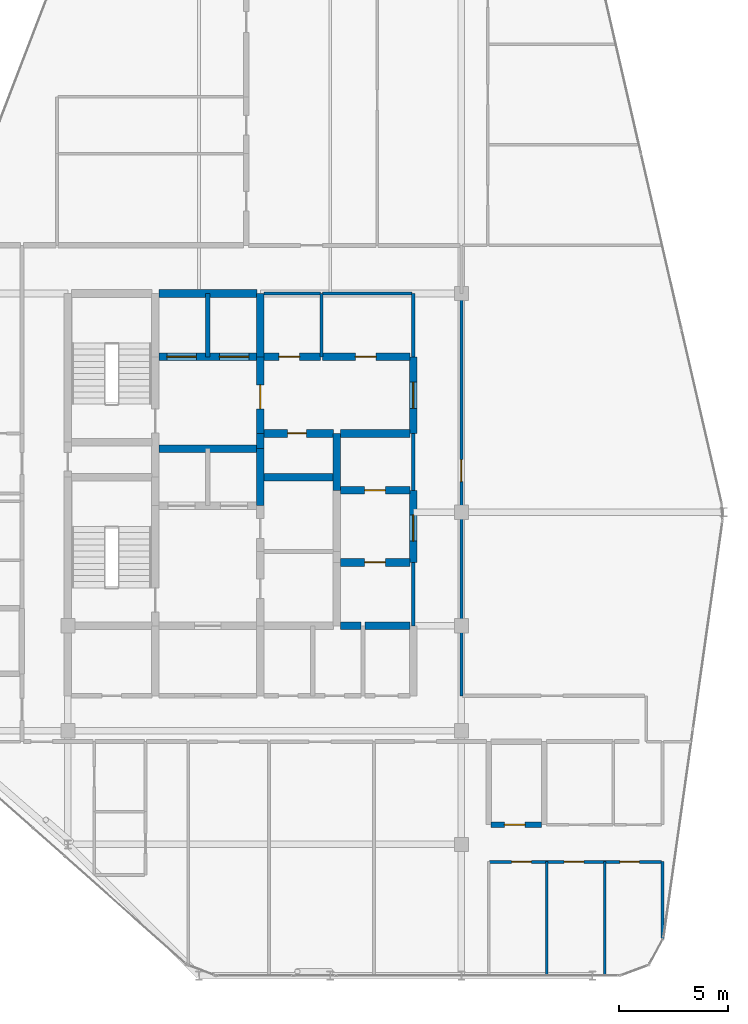
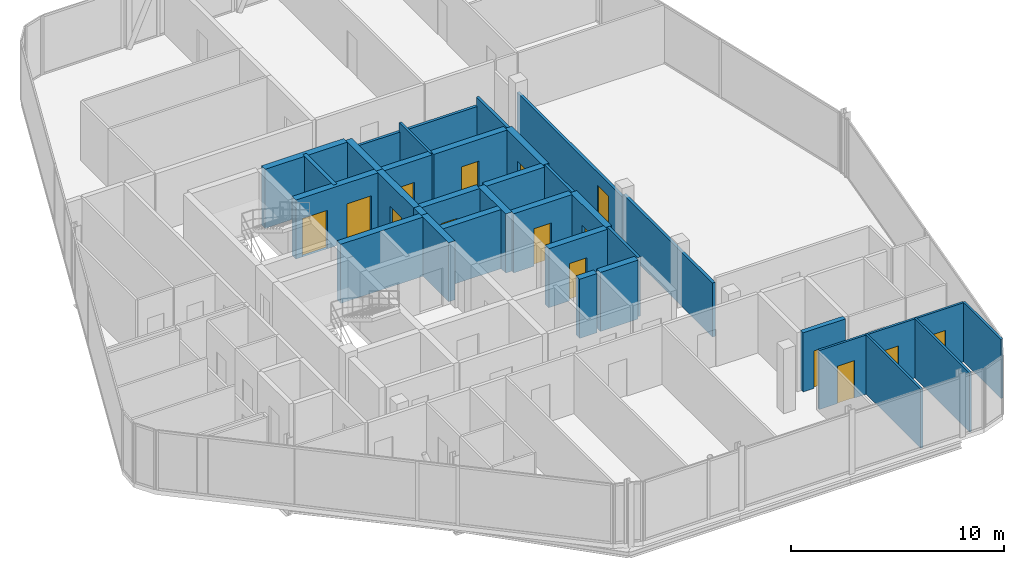
# One storey, part 24 of 27: 33 walls, 15 doors, 15 openings.
"""IFC4 building model written with IfcOpenShell, lengths in metres."""

from ifc_helpers import new_model, si_unit, direction, frame, frame_2d, origin, place, context, subcontext, project, spatial, rectangle, extrude, material, layer, layer_set, type_object, element, fill, save


model = new_model("IFC4")

# Units and contexts
model_context = context("Model", 3, precision=1e-05, world=origin(), true_north=direction((0.0, 1.0)))
body_context = subcontext(model_context, "Body", "Model", "MODEL_VIEW")
ifc_project = project(units=[si_unit("LENGTHUNIT", "METRE"), si_unit("AREAUNIT", "SQUARE_METRE"), si_unit("VOLUMEUNIT", "CUBIC_METRE"), si_unit("PLANEANGLEUNIT", "RADIAN"), si_unit("MASSUNIT", "GRAM", prefix="KILO")], contexts=[model_context])

# Site, building, storey
site_placement = place(None, origin())
site = spatial("IfcSite", under=ifc_project, at=site_placement, CompositionType="ELEMENT")
building_placement = place(site_placement, origin())
building = spatial("IfcBuilding", under=site, at=building_placement, Name="Keshet Zoharim Tower", CompositionType="ELEMENT")
storey_placement = place(building_placement, frame((0.0, 0.0, 307.300048828125)))
storey = spatial("IfcBuildingStorey", under=building, at=storey_placement, Name="L77", CompositionType="ELEMENT", Elevation=307.300048828125)

# Walls
ifc_material_1 = material(Name="Gypsum Plasterboard", Category="gypsum")
ifc_layer_1 = layer(ifc_material_1, 0.14990234375)
ifc_layer_set_1 = layer_set([ifc_layer_1], Name="Gypsum Plasterboard")
wall_type_1 = type_object("IfcWallType", Name="WL-CLIN-150", PredefinedType="STANDARD", material=ifc_layer_set_1)
wall_1_placement = place(storey_placement, frame((30.800048828125, 22.699951171875, 0.0), z_axis=(0.0, 0.0, 1.0), x_axis=(0.0, 1.0, 0.0)))
element("IfcWall", 1, at=wall_1_placement, inside=storey, type_object=wall_type_1, Name="L77 Interior Wall 055", PredefinedType="STANDARD", context=body_context, shape_type="SweptSolid", body=[
    extrude(rectangle(XDim=2.900146484375, YDim=0.14990234375, at=frame_2d((1.4501953125, 0.0))), origin(), (0.0, 0.0, 1.0), 3.389892578125),
])
wall_2_placement = place(storey_placement, frame((30.800048828125, 28.89990234375, 0.0), z_axis=(0.0, 0.0, 1.0), x_axis=(0.0, 1.0, 0.0)))
element("IfcWall", 2, at=wall_2_placement, inside=storey, type_object=wall_type_1, Name="L77 Interior Wall 057", PredefinedType="STANDARD", context=body_context, shape_type="SweptSolid", body=[
    extrude(rectangle(XDim=2.60009765625, YDim=0.14990234375, at=frame_2d((1.300048828125, 0.0))), origin(), (0.0, 0.0, 1.0), 3.389892578125),
])
wall_3_placement = place(storey_placement, frame((30.800048828125, 35.0, 0.0), z_axis=(0.0, 0.0, 1.0), x_axis=(0.0, 1.0, 0.0)))
element("IfcWall", 3, at=wall_3_placement, inside=storey, type_object=wall_type_1, Name="L77 Interior Wall 059", PredefinedType="STANDARD", context=body_context, shape_type="SweptSolid", body=[
    extrude(rectangle(XDim=2.89990234375, YDim=0.14990234375, at=frame_2d((1.449951171875, 0.0))), origin(), (0.0, 0.0, 1.0), 3.389892578125),
])
wall_4_placement = place(storey_placement, frame((33.0, 19.5, 0.0), z_axis=(0.0, 0.0, 1.0), x_axis=(0.0, 1.0, 0.0)))
element("IfcWall", 4, at=wall_4_placement, inside=storey, type_object=wall_type_1, Name="L77 Interior Wall 060", PredefinedType="STANDARD", context=body_context, shape_type="SweptSolid", body=[
    extrude(rectangle(XDim=8.39990234375, YDim=0.14990234375, at=frame_2d((4.199951171875, 0.0))), origin(), (0.0, 0.0, 1.0), 3.099853515625),
])
wall_5_placement = place(storey_placement, frame((23.9599609375, 37.89990234375, 0.0), z_axis=(0.0, 0.0, 1.0), x_axis=(1.0, 0.0, 0.0)))
element("IfcWall", 5, at=wall_5_placement, inside=storey, type_object=wall_type_1, Name="L77 Interior Wall 127", PredefinedType="STANDARD", context=body_context, shape_type="SweptSolid", body=[
    extrude(rectangle(XDim=2.594970703125, YDim=0.14990234375, at=frame_2d((1.29736328125, 0.0))), origin(), (0.0, 0.0, 1.0), 2.889892578125),
])
wall_6_placement = place(storey_placement, frame((26.64501953125, 37.89990234375, 0.0), z_axis=(0.0, 0.0, 1.0), x_axis=(1.0, 0.0, 0.0)))
element("IfcWall", 6, at=wall_6_placement, inside=storey, type_object=wall_type_1, Name="L77 Interior Wall 128", PredefinedType="STANDARD", context=body_context, shape_type="SweptSolid", body=[
    extrude(rectangle(XDim=4.094970703125, YDim=0.14990234375, at=frame_2d((2.04736328125, 0.0))), origin(), (0.0, 0.0, 1.0), 2.889892578125),
])

# Wall, opening, door
wall_7_placement = place(storey_placement, frame((33.0, 27.89990234375, 0.0), z_axis=(0.0, 0.0, 1.0), x_axis=(0.0, 1.0, 0.0)))
wall_7 = element("IfcWall", 7, at=wall_7_placement, inside=storey, type_object=wall_type_1, Name="L77 Interior Wall 060 Part 2", PredefinedType="STANDARD", context=body_context, shape_type="SweptSolid", body=[
    extrude(rectangle(XDim=10.0, YDim=0.14990234375, at=frame_2d((5.0, 0.0))), origin(), (0.0, 0.0, 1.0), 2.889892578125),
])
opening_1_placement = place(wall_7_placement, frame((1.39990234375, 0.0, 0.0)))
opening_1 = element("IfcOpeningElement", 8, at=opening_1_placement, cuts=wall_7, Name="Opening D-F310", PredefinedType="OPENING", context=body_context, shape_type="SweptSolid", body=[
    extrude(rectangle(XDim=1.0, YDim=2.14990234375, at=frame_2d((0.5, 1.074951171875))), frame((0.0, 0.0849609375, 0.0), z_axis=(0.0, -1.0, 0.0), x_axis=(1.0, 0.0, 0.0)), (0.0, 0.0, 1.0), 0.169921875),
])
ifc_material_2 = material(Name="Hardwood Timber", Category="wood")
door_type_1 = type_object("IfcDoorType", Name="DR-FD30-100", OperationType="NOTDEFINED", PredefinedType="DOOR", material=ifc_material_2)
door_1_placement = place(opening_1_placement, origin())
door_1 = element("IfcDoor", 9, at=door_1_placement, inside=storey, type_object=door_type_1, Name="L77 North West Residents Services Suite Door 1", OperationType="SINGLE_SWING_RIGHT", OverallHeight=2.14990234375, OverallWidth=1.0, PredefinedType="DOOR", context=body_context, shape_type="SweptSolid", body=[
    extrude(rectangle(XDim=1.0, YDim=2.14990234375, at=frame_2d((0.5, 1.074951171875))), frame((0.0, 0.02490234375, 0.0), z_axis=(0.0, -1.0, 0.0), x_axis=(1.0, 0.0, 0.0)), (0.0, 0.0, 1.0), 0.050048828125),
])
fill(opening_1, door_1)

# Walls
ifc_material_3 = material(Name="Concrete C60/75", Category="concrete")
ifc_layer_2 = layer(ifc_material_3, 0.35009765625)
ifc_layer_set_2 = layer_set([ifc_layer_2], Name="Concrete C60/75")
wall_type_2 = type_object("IfcWallType", Name="WL-CORE-350", PredefinedType="SHEAR", material=ifc_layer_set_2)
wall_8_placement = place(storey_placement, frame((23.800048828125, 28.199951171875, 0.0), z_axis=(0.0, 0.0, 1.0), x_axis=(0.0, 1.0, 0.0)))
element("IfcWall", 10, at=wall_8_placement, inside=storey, type_object=wall_type_2, Name="L77 Core Shear Wall 040", PredefinedType="SHEAR", context=body_context, shape_type="SweptSolid", body=[
    extrude(rectangle(XDim=2.60009765625, YDim=0.35009765625, at=frame_2d((1.300048828125, 0.0))), origin(), (0.0, 0.0, 1.0), 3.389892578125),
])
wall_9_placement = place(storey_placement, frame((23.800048828125, 30.800048828125, 0.0), z_axis=(0.0, 0.0, 1.0), x_axis=(0.0, 1.0, 0.0)))
element("IfcWall", 11, at=wall_9_placement, inside=storey, type_object=wall_type_2, Name="L77 Core Shear Wall 041", PredefinedType="SHEAR", context=body_context, shape_type="SweptSolid", body=[
    extrude(rectangle(XDim=0.699951171875, YDim=0.35009765625, at=frame_2d((0.35009765625, 0.0))), origin(), (0.0, 0.0, 1.0), 3.389892578125),
])

# Wall, opening, door
wall_10_placement = place(storey_placement, frame((23.800048828125, 31.5, 0.0), z_axis=(0.0, 0.0, 1.0), x_axis=(0.0, 1.0, 0.0)))
wall_10 = element("IfcWall", 12, at=wall_10_placement, inside=storey, type_object=wall_type_2, Name="L77 Core Shear Wall 042", PredefinedType="SHEAR", context=body_context, shape_type="SweptSolid", body=[
    extrude(rectangle(XDim=3.5, YDim=0.35009765625, at=frame_2d((1.75, 0.0))), origin(), (0.0, 0.0, 1.0), 3.389892578125),
])
opening_2_placement = place(wall_10_placement, frame((1.126953125, 0.0, 0.0)))
opening_2 = element("IfcOpeningElement", 13, at=opening_2_placement, cuts=wall_10, Name="Opening D-F611", PredefinedType="OPENING", context=body_context, shape_type="SweptSolid", body=[
    extrude(rectangle(XDim=1.10009765625, YDim=2.14990234375, at=frame_2d((0.550048828125, 1.074951171875))), frame((0.0, 0.18505859375, 0.0), z_axis=(0.0, -1.0, 0.0), x_axis=(1.0, 0.0, 0.0)), (0.0, 0.0, 1.0), 0.3701171875),
])
door_type_2 = type_object("IfcDoorType", Name="DR-FD60-110", OperationType="NOTDEFINED", PredefinedType="DOOR", material=ifc_material_2)
door_2_placement = place(opening_2_placement, origin())
door_2 = element("IfcDoor", 14, at=door_2_placement, inside=storey, type_object=door_type_2, Name="L77 Firefighting Lobby Fire Door", OperationType="SINGLE_SWING_RIGHT", OverallHeight=2.14990234375, OverallWidth=1.10009765625, PredefinedType="DOOR", context=body_context, shape_type="SweptSolid", body=[
    extrude(rectangle(XDim=1.10009765625, YDim=2.14990234375, at=frame_2d((0.550048828125, 1.074951171875))), frame((0.0, 0.02490234375, 0.0), z_axis=(0.0, -1.0, 0.0), x_axis=(1.0, 0.0, 0.0)), (0.0, 0.0, 1.0), 0.050048828125),
])
fill(opening_2, door_2)

# Walls
wall_11_placement = place(storey_placement, frame((23.800048828125, 35.0, 0.0), z_axis=(0.0, 0.0, 1.0), x_axis=(0.0, 1.0, 0.0)))
element("IfcWall", 15, at=wall_11_placement, inside=storey, type_object=wall_type_2, Name="L77 Core Shear Wall 043", PredefinedType="SHEAR", context=body_context, shape_type="SweptSolid", body=[
    extrude(rectangle(XDim=2.89990234375, YDim=0.35009765625, at=frame_2d((1.449951171875, 0.0))), origin(), (0.0, 0.0, 1.0), 3.389892578125),
])
wall_12_placement = place(storey_placement, frame((27.300048828125, 28.89990234375, 0.0), z_axis=(0.0, 0.0, 1.0), x_axis=(0.0, 1.0, 0.0)))
element("IfcWall", 16, at=wall_12_placement, inside=storey, type_object=wall_type_2, Name="L77 Core Shear Wall 050", PredefinedType="SHEAR", context=body_context, shape_type="SweptSolid", body=[
    extrude(rectangle(XDim=2.60009765625, YDim=0.35009765625, at=frame_2d((1.300048828125, 0.0))), origin(), (0.0, 0.0, 1.0), 3.389892578125),
])

# Wall, opening, door
wall_13_placement = place(storey_placement, frame((30.800048828125, 25.60009765625, 0.0), z_axis=(0.0, 0.0, 1.0), x_axis=(0.0, 1.0, 0.0)))
wall_13 = element("IfcWall", 17, at=wall_13_placement, inside=storey, type_object=wall_type_2, Name="L77 Core Shear Wall 056", PredefinedType="SHEAR", context=body_context, shape_type="SweptSolid", body=[
    extrude(rectangle(XDim=3.2998046875, YDim=0.35009765625, at=frame_2d((1.64990234375, 0.0))), origin(), (0.0, 0.0, 1.0), 3.389892578125),
])
opening_3_placement = place(wall_13_placement, frame((0.97802734375, 0.0, 0.0)))
opening_3 = element("IfcOpeningElement", 18, at=opening_3_placement, cuts=wall_13, Name="Opening D-F612", PredefinedType="OPENING", context=body_context, shape_type="SweptSolid", body=[
    extrude(rectangle(XDim=1.199951171875, YDim=2.199951171875, at=frame_2d((0.60009765625, 1.10009765625))), frame((0.0, 0.18505859375, 0.0), z_axis=(0.0, -1.0, 0.0), x_axis=(1.0, 0.0, 0.0)), (0.0, 0.0, 1.0), 0.3701171875),
])
door_type_3 = type_object("IfcDoorType", Name="DR-FD60-120", OperationType="NOTDEFINED", PredefinedType="DOOR", material=ifc_material_2)
door_3_placement = place(opening_3_placement, origin())
door_3 = element("IfcDoor", 19, at=door_3_placement, inside=storey, type_object=door_type_3, Name="L77 East Lift Lobby Fire Door", OperationType="SINGLE_SWING_RIGHT", OverallHeight=2.199951171875, OverallWidth=1.199951171875, PredefinedType="DOOR", context=body_context, shape_type="SweptSolid", body=[
    extrude(rectangle(XDim=1.199951171875, YDim=2.199951171875, at=frame_2d((0.60009765625, 1.10009765625))), frame((0.0, 0.02490234375, 0.0), z_axis=(0.0, -1.0, 0.0), x_axis=(1.0, 0.0, 0.0)), (0.0, 0.0, 1.0), 0.050048828125),
])
fill(opening_3, door_3)

wall_14_placement = place(storey_placement, frame((30.800048828125, 31.5, 0.0), z_axis=(0.0, 0.0, 1.0), x_axis=(0.0, 1.0, 0.0)))
wall_14 = element("IfcWall", 20, at=wall_14_placement, inside=storey, type_object=wall_type_2, Name="L77 Core Shear Wall 058", PredefinedType="SHEAR", context=body_context, shape_type="SweptSolid", body=[
    extrude(rectangle(XDim=3.5, YDim=0.35009765625, at=frame_2d((1.75, 0.0))), origin(), (0.0, 0.0, 1.0), 3.389892578125),
])
opening_4_placement = place(wall_14_placement, frame((1.14990234375, 0.0, 0.0)))
opening_4 = element("IfcOpeningElement", 21, at=opening_4_placement, cuts=wall_14, Name="Opening D-F612", PredefinedType="OPENING", context=body_context, shape_type="SweptSolid", body=[
    extrude(rectangle(XDim=1.199951171875, YDim=2.199951171875, at=frame_2d((0.60009765625, 1.10009765625))), frame((0.0, 0.18505859375, 0.0), z_axis=(0.0, -1.0, 0.0), x_axis=(1.0, 0.0, 0.0)), (0.0, 0.0, 1.0), 0.3701171875),
])
door_4_placement = place(opening_4_placement, origin())
door_4 = element("IfcDoor", 22, at=door_4_placement, inside=storey, type_object=door_type_3, Name="L77 North Lift Lobby East Fire Door", OperationType="SINGLE_SWING_LEFT", OverallHeight=2.199951171875, OverallWidth=1.199951171875, PredefinedType="DOOR", context=body_context, shape_type="SweptSolid", body=[
    extrude(rectangle(XDim=1.199951171875, YDim=2.199951171875, at=frame_2d((0.60009765625, 1.10009765625))), frame((0.0, 0.02490234375, 0.0), z_axis=(0.0, -1.0, 0.0), x_axis=(1.0, 0.0, 0.0)), (0.0, 0.0, 1.0), 0.050048828125),
])
fill(opening_4, door_4)

# Walls
wall_15_placement = place(storey_placement, frame((27.4599609375, 22.699951171875, 0.0), z_axis=(0.0, 0.0, 1.0), x_axis=(1.0, 0.0, 0.0)))
element("IfcWall", 23, at=wall_15_placement, inside=storey, type_object=wall_type_2, Name="L77 Core Shear Wall 100", PredefinedType="SHEAR", context=body_context, shape_type="SweptSolid", body=[
    extrude(rectangle(XDim=0.955078125, YDim=0.35009765625, at=frame_2d((0.4775390625, 0.0))), origin(), (0.0, 0.0, 1.0), 3.389892578125),
])
wall_16_placement = place(storey_placement, frame((28.5849609375, 22.699951171875, 0.0), z_axis=(0.0, 0.0, 1.0), x_axis=(1.0, 0.0, 0.0)))
element("IfcWall", 24, at=wall_16_placement, inside=storey, type_object=wall_type_2, Name="L77 Core Shear Wall 101", PredefinedType="SHEAR", context=body_context, shape_type="SweptSolid", body=[
    extrude(rectangle(XDim=2.054931640625, YDim=0.35009765625, at=frame_2d((1.02734375, 0.0))), origin(), (0.0, 0.0, 1.0), 3.389892578125),
])

# Wall, opening, door
wall_17_placement = place(storey_placement, frame((27.4599609375, 25.60009765625, 0.0), z_axis=(0.0, 0.0, 1.0), x_axis=(1.0, 0.0, 0.0)))
wall_17 = element("IfcWall", 25, at=wall_17_placement, inside=storey, type_object=wall_type_2, Name="L77 Core Shear Wall 104", PredefinedType="SHEAR", context=body_context, shape_type="SweptSolid", body=[
    extrude(rectangle(XDim=3.179931640625, YDim=0.35009765625, at=frame_2d((1.58984375, 0.0))), origin(), (0.0, 0.0, 1.0), 3.389892578125),
])
opening_5_placement = place(wall_17_placement, frame((1.114990234375, 0.0, 0.0)))
opening_5 = element("IfcOpeningElement", 26, at=opening_5_placement, cuts=wall_17, Name="Opening D-F695", PredefinedType="OPENING", context=body_context, shape_type="SweptSolid", body=[
    extrude(rectangle(XDim=0.949951171875, YDim=2.14990234375, at=frame_2d((0.47509765625, 1.074951171875))), frame((0.0, 0.18505859375, 0.0), z_axis=(0.0, -1.0, 0.0), x_axis=(1.0, 0.0, 0.0)), (0.0, 0.0, 1.0), 0.3701171875),
])
door_type_4 = type_object("IfcDoorType", Name="DR-FD60-095", OperationType="NOTDEFINED", PredefinedType="DOOR", material=ifc_material_2)
door_5_placement = place(opening_5_placement, origin())
door_5 = element("IfcDoor", 27, at=door_5_placement, inside=storey, type_object=door_type_4, Name="L77 Study Alcove Door", OperationType="SINGLE_SWING_LEFT", OverallHeight=2.14990234375, OverallWidth=0.949951171875, PredefinedType="DOOR", context=body_context, shape_type="SweptSolid", body=[
    extrude(rectangle(XDim=0.949951171875, YDim=2.14990234375, at=frame_2d((0.47509765625, 1.074951171875))), frame((0.0, 0.02490234375, 0.0), z_axis=(0.0, -1.0, 0.0), x_axis=(1.0, 0.0, 0.0)), (0.0, 0.0, 1.0), 0.050048828125),
])
fill(opening_5, door_5)

wall_18_placement = place(storey_placement, frame((27.4599609375, 28.89990234375, 0.0), z_axis=(0.0, 0.0, 1.0), x_axis=(1.0, 0.0, 0.0)))
wall_18 = element("IfcWall", 28, at=wall_18_placement, inside=storey, type_object=wall_type_2, Name="L77 Core Shear Wall 113", PredefinedType="SHEAR", context=body_context, shape_type="SweptSolid", body=[
    extrude(rectangle(XDim=3.179931640625, YDim=0.35009765625, at=frame_2d((1.58984375, 0.0))), origin(), (0.0, 0.0, 1.0), 3.389892578125),
])
opening_6_placement = place(wall_18_placement, frame((1.114990234375, 0.0, 0.0)))
opening_6 = element("IfcOpeningElement", 29, at=opening_6_placement, cuts=wall_18, Name="Opening D-F695", PredefinedType="OPENING", context=body_context, shape_type="SweptSolid", body=[
    extrude(rectangle(XDim=0.949951171875, YDim=2.14990234375, at=frame_2d((0.47509765625, 1.074951171875))), frame((0.0, 0.18505859375, 0.0), z_axis=(0.0, -1.0, 0.0), x_axis=(1.0, 0.0, 0.0)), (0.0, 0.0, 1.0), 0.3701171875),
])
door_6_placement = place(opening_6_placement, frame((0.949951171875, 0.0, 0.0), z_axis=(0.0, 0.0, 1.0), x_axis=(-1.0, 0.0, 0.0)))
door_6 = element("IfcDoor", 30, at=door_6_placement, inside=storey, type_object=door_type_4, Name="L77 Parcel Store Door", OperationType="SINGLE_SWING_RIGHT", OverallHeight=2.14990234375, OverallWidth=0.949951171875, PredefinedType="DOOR", context=body_context, shape_type="SweptSolid", body=[
    extrude(rectangle(XDim=0.949951171875, YDim=2.14990234375, at=frame_2d((0.47509765625, 1.074951171875))), frame((0.0, 0.02490234375, 0.0), z_axis=(0.0, -1.0, 0.0), x_axis=(1.0, 0.0, 0.0)), (0.0, 0.0, 1.0), 0.050048828125),
])
fill(opening_6, door_6)

# Walls
wall_19_placement = place(storey_placement, frame((23.9599609375, 29.5, 0.0), z_axis=(0.0, 0.0, 1.0), x_axis=(1.0, 0.0, 0.0)))
element("IfcWall", 31, at=wall_19_placement, inside=storey, type_object=wall_type_2, Name="L77 Core Shear Wall 115", PredefinedType="SHEAR", context=body_context, shape_type="SweptSolid", body=[
    extrude(rectangle(XDim=3.179931640625, YDim=0.35009765625, at=frame_2d((1.58984375, 0.0))), origin(), (0.0, 0.0, 1.0), 3.389892578125),
])
wall_20_placement = place(storey_placement, frame((19.159912109375, 30.800048828125, 0.0), z_axis=(0.0, 0.0, 1.0), x_axis=(1.0, 0.0, 0.0)))
element("IfcWall", 32, at=wall_20_placement, inside=storey, type_object=wall_type_2, Name="L77 Core Shear Wall 116", PredefinedType="SHEAR", context=body_context, shape_type="SweptSolid", body=[
    extrude(rectangle(XDim=4.47998046875, YDim=0.35009765625, at=frame_2d((2.239990234375, 0.0))), origin(), (0.0, 0.0, 1.0), 3.389892578125),
])

# Wall, opening, door
wall_21_placement = place(storey_placement, frame((23.9599609375, 31.5, 0.0), z_axis=(0.0, 0.0, 1.0), x_axis=(1.0, 0.0, 0.0)))
wall_21 = element("IfcWall", 33, at=wall_21_placement, inside=storey, type_object=wall_type_2, Name="L77 Core Shear Wall 120", PredefinedType="SHEAR", context=body_context, shape_type="SweptSolid", body=[
    extrude(rectangle(XDim=3.179931640625, YDim=0.35009765625, at=frame_2d((1.58984375, 0.0))), origin(), (0.0, 0.0, 1.0), 3.389892578125),
])
opening_7_placement = place(wall_21_placement, frame((1.093994140625, 0.0, 0.0)))
opening_7 = element("IfcOpeningElement", 34, at=opening_7_placement, cuts=wall_21, Name="Opening D-RS85", PredefinedType="OPENING", context=body_context, shape_type="SweptSolid", body=[
    extrude(rectangle(XDim=0.85009765625, YDim=2.10009765625, at=frame_2d((0.425048828125, 1.050048828125))), frame((0.0, 0.18505859375, 0.0), z_axis=(0.0, -1.0, 0.0), x_axis=(1.0, 0.0, 0.0)), (0.0, 0.0, 1.0), 0.3701171875),
])
door_type_5 = type_object("IfcDoorType", Name="DR-RIS-085", OperationType="NOTDEFINED", PredefinedType="DOOR", material=ifc_material_2)
door_7_placement = place(opening_7_placement, origin())
door_7 = element("IfcDoor", 35, at=door_7_placement, inside=storey, type_object=door_type_5, Name="L77 Telecom Riser Access Cupboard Door", OperationType="SINGLE_SWING_LEFT", OverallHeight=2.10009765625, OverallWidth=0.85009765625, PredefinedType="DOOR", context=body_context, shape_type="SweptSolid", body=[
    extrude(rectangle(XDim=0.85009765625, YDim=2.10009765625, at=frame_2d((0.425048828125, 1.050048828125))), frame((0.0, 0.02490234375, 0.0), z_axis=(0.0, -1.0, 0.0), x_axis=(1.0, 0.0, 0.0)), (0.0, 0.0, 1.0), 0.050048828125),
])
fill(opening_7, door_7)

# Wall
wall_22_placement = place(storey_placement, frame((27.4599609375, 31.5, 0.0), z_axis=(0.0, 0.0, 1.0), x_axis=(1.0, 0.0, 0.0)))
element("IfcWall", 36, at=wall_22_placement, inside=storey, type_object=wall_type_2, Name="L77 Core Shear Wall 121", PredefinedType="SHEAR", context=body_context, shape_type="SweptSolid", body=[
    extrude(rectangle(XDim=3.179931640625, YDim=0.35009765625, at=frame_2d((1.58984375, 0.0))), origin(), (0.0, 0.0, 1.0), 3.389892578125),
])

# Wall, openings, doors
wall_23_placement = place(storey_placement, frame((19.159912109375, 35.0, 0.0), z_axis=(0.0, 0.0, 1.0), x_axis=(1.0, 0.0, 0.0)))
wall_23 = element("IfcWall", 37, at=wall_23_placement, inside=storey, type_object=wall_type_2, Name="L77 Core Shear Wall 122", PredefinedType="SHEAR", context=body_context, shape_type="SweptSolid", body=[
    extrude(rectangle(XDim=4.47998046875, YDim=0.35009765625, at=frame_2d((2.239990234375, 0.0))), origin(), (0.0, 0.0, 1.0), 3.389892578125),
])
opening_8_placement = place(wall_23_placement, frame((0.364990234375, 0.0, 0.0)))
opening_8 = element("IfcOpeningElement", 38, at=opening_8_placement, cuts=wall_23, Name="Opening LD-02", PredefinedType="OPENING", context=body_context, shape_type="SweptSolid", body=[
    extrude(rectangle(XDim=1.35009765625, YDim=2.199951171875, at=frame_2d((0.675048828125, 1.10009765625))), frame((0.0, 0.18505859375, 0.0), z_axis=(0.0, -1.0, 0.0), x_axis=(1.0, 0.0, 0.0)), (0.0, 0.0, 1.0), 0.3701171875),
])
opening_9_placement = place(wall_23_placement, frame((2.764892578125, 0.0, 0.0)))
opening_9 = element("IfcOpeningElement", 39, at=opening_9_placement, cuts=wall_23, Name="Opening LD-02", PredefinedType="OPENING", context=body_context, shape_type="SweptSolid", body=[
    extrude(rectangle(XDim=1.35009765625, YDim=2.199951171875, at=frame_2d((0.675048828125, 1.10009765625))), frame((0.0, 0.18505859375, 0.0), z_axis=(0.0, -1.0, 0.0), x_axis=(1.0, 0.0, 0.0)), (0.0, 0.0, 1.0), 0.3701171875),
])
ifc_material_4 = material(Name="Steel S355", Category="steel")
door_type_6 = type_object("IfcDoorType", Name="DR-LD02-135", OperationType="DOUBLE_DOOR_SLIDING", PredefinedType="DOOR", material=ifc_material_4)
door_8_placement = place(opening_8_placement, origin())
door_8 = element("IfcDoor", 40, at=door_8_placement, inside=storey, type_object=door_type_6, Name="L77 Firefighting Lift Landing Door FF-01", OperationType="DOUBLE_DOOR_SLIDING", OverallHeight=2.199951171875, OverallWidth=1.35009765625, PredefinedType="DOOR", context=body_context, shape_type="SweptSolid", body=[
    extrude(rectangle(XDim=1.35009765625, YDim=2.199951171875, at=frame_2d((0.675048828125, 1.10009765625))), frame((0.0, 0.02490234375, 0.0), z_axis=(0.0, -1.0, 0.0), x_axis=(1.0, 0.0, 0.0)), (0.0, 0.0, 1.0), 0.050048828125),
])
fill(opening_8, door_8)
door_9_placement = place(opening_9_placement, origin())
door_9 = element("IfcDoor", 41, at=door_9_placement, inside=storey, type_object=door_type_6, Name="L77 Firefighting Lift Landing Door FF-02", OperationType="DOUBLE_DOOR_SLIDING", OverallHeight=2.199951171875, OverallWidth=1.35009765625, PredefinedType="DOOR", context=body_context, shape_type="SweptSolid", body=[
    extrude(rectangle(XDim=1.35009765625, YDim=2.199951171875, at=frame_2d((0.675048828125, 1.10009765625))), frame((0.0, 0.02490234375, 0.0), z_axis=(0.0, -1.0, 0.0), x_axis=(1.0, 0.0, 0.0)), (0.0, 0.0, 1.0), 0.050048828125),
])
fill(opening_9, door_9)

# Wall, opening, door
wall_24_placement = place(storey_placement, frame((23.9599609375, 35.0, 0.0), z_axis=(0.0, 0.0, 1.0), x_axis=(1.0, 0.0, 0.0)))
wall_24 = element("IfcWall", 42, at=wall_24_placement, inside=storey, type_object=wall_type_2, Name="L77 Core Shear Wall 123", PredefinedType="SHEAR", context=body_context, shape_type="SweptSolid", body=[
    extrude(rectangle(XDim=2.594970703125, YDim=0.35009765625, at=frame_2d((1.29736328125, 0.0))), origin(), (0.0, 0.0, 1.0), 3.389892578125),
])
opening_10_placement = place(wall_24_placement, frame((0.69091796875, 0.0, 0.0)))
opening_10 = element("IfcOpeningElement", 43, at=opening_10_placement, cuts=wall_24, Name="Opening D-F695", PredefinedType="OPENING", context=body_context, shape_type="SweptSolid", body=[
    extrude(rectangle(XDim=0.949951171875, YDim=2.14990234375, at=frame_2d((0.47509765625, 1.074951171875))), frame((0.0, 0.18505859375, 0.0), z_axis=(0.0, -1.0, 0.0), x_axis=(1.0, 0.0, 0.0)), (0.0, 0.0, 1.0), 0.3701171875),
])
door_10_placement = place(opening_10_placement, frame((0.949951171875, 0.0, 0.0), z_axis=(0.0, 0.0, 1.0), x_axis=(-1.0, 0.0, 0.0)))
door_10 = element("IfcDoor", 44, at=door_10_placement, inside=storey, type_object=door_type_4, Name="L77 Laundry Room Door", OperationType="SINGLE_SWING_RIGHT", OverallHeight=2.14990234375, OverallWidth=0.949951171875, PredefinedType="DOOR", context=body_context, shape_type="SweptSolid", body=[
    extrude(rectangle(XDim=0.949951171875, YDim=2.14990234375, at=frame_2d((0.47509765625, 1.074951171875))), frame((0.0, 0.02490234375, 0.0), z_axis=(0.0, -1.0, 0.0), x_axis=(1.0, 0.0, 0.0)), (0.0, 0.0, 1.0), 0.050048828125),
])
fill(opening_10, door_10)

wall_25_placement = place(storey_placement, frame((26.64501953125, 35.0, 0.0), z_axis=(0.0, 0.0, 1.0), x_axis=(1.0, 0.0, 0.0)))
wall_25 = element("IfcWall", 45, at=wall_25_placement, inside=storey, type_object=wall_type_2, Name="L77 Core Shear Wall 124", PredefinedType="SHEAR", context=body_context, shape_type="SweptSolid", body=[
    extrude(rectangle(XDim=3.994873046875, YDim=0.35009765625, at=frame_2d((1.99755859375, 0.0))), origin(), (0.0, 0.0, 1.0), 3.389892578125),
])
opening_11_placement = place(wall_25_placement, frame((1.508056640625, 0.0, 0.0)))
opening_11 = element("IfcOpeningElement", 46, at=opening_11_placement, cuts=wall_25, Name="Opening D-F695", PredefinedType="OPENING", context=body_context, shape_type="SweptSolid", body=[
    extrude(rectangle(XDim=0.949951171875, YDim=2.14990234375, at=frame_2d((0.47509765625, 1.074951171875))), frame((0.0, 0.18505859375, 0.0), z_axis=(0.0, -1.0, 0.0), x_axis=(1.0, 0.0, 0.0)), (0.0, 0.0, 1.0), 0.3701171875),
])
door_11_placement = place(opening_11_placement, frame((0.949951171875, 0.0, 0.0), z_axis=(0.0, 0.0, 1.0), x_axis=(-1.0, 0.0, 0.0)))
door_11 = element("IfcDoor", 47, at=door_11_placement, inside=storey, type_object=door_type_4, Name="L77 Quiet Study Room Door", OperationType="SINGLE_SWING_LEFT", OverallHeight=2.14990234375, OverallWidth=0.949951171875, PredefinedType="DOOR", context=body_context, shape_type="SweptSolid", body=[
    extrude(rectangle(XDim=0.949951171875, YDim=2.14990234375, at=frame_2d((0.47509765625, 1.074951171875))), frame((0.0, 0.02490234375, 0.0), z_axis=(0.0, -1.0, 0.0), x_axis=(1.0, 0.0, 0.0)), (0.0, 0.0, 1.0), 0.050048828125),
])
fill(opening_11, door_11)

# Walls
wall_26_placement = place(storey_placement, frame((19.159912109375, 37.89990234375, 0.0), z_axis=(0.0, 0.0, 1.0), x_axis=(1.0, 0.0, 0.0)))
element("IfcWall", 48, at=wall_26_placement, inside=storey, type_object=wall_type_2, Name="L77 Core Shear Wall 126", PredefinedType="SHEAR", context=body_context, shape_type="SweptSolid", body=[
    extrude(rectangle(XDim=4.47998046875, YDim=0.35009765625, at=frame_2d((2.239990234375, 0.0))), origin(), (0.0, 0.0, 1.0), 3.389892578125),
])
ifc_material_5 = material(Name="Concrete C50/60", Category="concrete")
ifc_layer_3 = layer(ifc_material_5, 0.199951171875)
ifc_layer_set_3 = layer_set([ifc_layer_3], Name="Concrete C50/60")
wall_type_3 = type_object("IfcWallType", Name="WL-FIRE-200", PredefinedType="STANDARD", material=ifc_layer_set_3)
wall_27_placement = place(storey_placement, frame((21.39990234375, 35.0, 0.0), z_axis=(0.0, 0.0, 1.0), x_axis=(0.0, 1.0, 0.0)))
element("IfcWall", 49, at=wall_27_placement, inside=storey, type_object=wall_type_3, Name="L77 Interior Wall 033", PredefinedType="STANDARD", context=body_context, shape_type="SweptSolid", body=[
    extrude(rectangle(XDim=2.89990234375, YDim=0.199951171875, at=frame_2d((1.449951171875, 0.0))), origin(), (0.0, 0.0, 1.0), 3.389892578125),
])

# Wall, opening, door
ifc_layer_4 = layer(ifc_material_5, 0.25)
ifc_layer_set_4 = layer_set([ifc_layer_4], Name="Concrete C50/60")
wall_type_4 = type_object("IfcWallType", Name="WL-MAMAD-250", PredefinedType="STANDARD", material=ifc_layer_set_4)
wall_28_placement = place(storey_placement, frame((34.360107421875, 13.60009765625, 0.0), z_axis=(0.0, 0.0, 1.0), x_axis=(1.0, 0.0, 0.0)))
wall_28 = element("IfcWall", 50, at=wall_28_placement, inside=storey, type_object=wall_type_4, Name="L77 Interior Wall 073", PredefinedType="STANDARD", context=body_context, shape_type="SweptSolid", body=[
    extrude(rectangle(XDim=2.304931640625, YDim=0.25, at=frame_2d((1.15234375, 0.0))), origin(), (0.0, 0.0, 1.0), 3.389892578125),
])
opening_12_placement = place(wall_28_placement, frame((0.60205078125, 0.0, 0.0)))
opening_12 = element("IfcOpeningElement", 51, at=opening_12_placement, cuts=wall_28, Name="Opening D-F695", PredefinedType="OPENING", context=body_context, shape_type="SweptSolid", body=[
    extrude(rectangle(XDim=0.949951171875, YDim=2.14990234375, at=frame_2d((0.47509765625, 1.074951171875))), frame((0.0, 0.135009765625, 0.0), z_axis=(0.0, -1.0, 0.0), x_axis=(1.0, 0.0, 0.0)), (0.0, 0.0, 1.0), 0.27001953125),
])
door_12_placement = place(opening_12_placement, origin())
door_12 = element("IfcDoor", 52, at=door_12_placement, inside=storey, type_object=door_type_4, Name="Apartment 7702 Study and Shelter Room Door", OperationType="SINGLE_SWING_LEFT", OverallHeight=2.14990234375, OverallWidth=0.949951171875, PredefinedType="DOOR", context=body_context, shape_type="SweptSolid", body=[
    extrude(rectangle(XDim=0.949951171875, YDim=2.14990234375, at=frame_2d((0.47509765625, 1.074951171875))), frame((0.0, 0.02490234375, 0.0), z_axis=(0.0, -1.0, 0.0), x_axis=(1.0, 0.0, 0.0)), (0.0, 0.0, 1.0), 0.050048828125),
])
fill(opening_12, door_12)

# Walls
ifc_layer_5 = layer(ifc_material_1, 0.1201171875)
ifc_layer_set_5 = layer_set([ifc_layer_5], Name="Gypsum Plasterboard")
wall_type_5 = type_object("IfcWallType", Name="WL-PART-120", PredefinedType="PARTITIONING", material=ifc_layer_set_5)
wall_29_placement = place(storey_placement, frame((26.60009765625, 35.0, 0.0), z_axis=(0.0, 0.0, 1.0), x_axis=(0.0, 1.0, 0.0)))
element("IfcWall", 53, at=wall_29_placement, inside=storey, type_object=wall_type_5, Name="L77 Interior Wall 046", PredefinedType="PARTITIONING", context=body_context, shape_type="SweptSolid", body=[
    extrude(rectangle(XDim=2.89990234375, YDim=0.1201171875, at=frame_2d((1.449951171875, 0.0))), origin(), (0.0, 0.0, 1.0), 3.389892578125),
])
for number, where, z_axis, x_axis, name in (
    (54, (36.89990234375, 6.7099609375, 0.0), (0.0, 0.0, 1.0), (0.0, 1.0, 0.0), "L77 Interior Wall 065"),
    (55, (39.550048828125, 6.7099609375, 0.0), (0.0, 0.0, 1.0), (0.0, 1.0, 0.0), "L77 Interior Wall 066"),
):
    element("IfcWall", number, at=place(storey_placement, frame(where, z_axis=z_axis, x_axis=x_axis)), inside=storey, type_object=wall_type_5, Name=name, PredefinedType="PARTITIONING", context=body_context, shape_type="SweptSolid", body=[
        extrude(rectangle(XDim=5.2099609375, YDim=0.1201171875, at=frame_2d((2.60498046875, 0.0))), origin(), (0.0, 0.0, 1.0), 3.389892578125),
    ])
wall_30_placement = place(storey_placement, frame((42.199951171875, 8.35107421875, 0.0), z_axis=(0.0, 0.0, 1.0), x_axis=(0.0, 1.0, 0.0)))
element("IfcWall", 56, at=wall_30_placement, inside=storey, type_object=wall_type_5, Name="L77 Interior Wall 069", PredefinedType="PARTITIONING", context=body_context, shape_type="SweptSolid", body=[
    extrude(rectangle(XDim=3.56884765625, YDim=0.1201171875, at=frame_2d((1.784423828125, 0.0))), origin(), (0.0, 0.0, 1.0), 3.389892578125),
])

# Wall, openings, doors
wall_31_placement = place(storey_placement, frame((34.294921875, 11.89990234375, 0.0), z_axis=(0.0, 0.0, 1.0), x_axis=(1.0, 0.0, 0.0)))
wall_31 = element("IfcWall", 57, at=wall_31_placement, inside=storey, type_object=wall_type_5, Name="L77 Interior Wall 072", PredefinedType="PARTITIONING", context=body_context, shape_type="SweptSolid", body=[
    extrude(rectangle(XDim=7.85107421875, YDim=0.1201171875, at=frame_2d((3.925537109375, 0.0))), origin(), (0.0, 0.0, 1.0), 3.389892578125),
])
opening_13_placement = place(wall_31_placement, frame((1.0029296875, 0.0, 0.0)))
opening_13 = element("IfcOpeningElement", 58, at=opening_13_placement, cuts=wall_31, Name="Opening D-IN90", PredefinedType="OPENING", context=body_context, shape_type="SweptSolid", body=[
    extrude(rectangle(XDim=0.89990234375, YDim=2.14990234375, at=frame_2d((0.449951171875, 1.074951171875))), frame((0.0, 0.070068359375, 0.0), z_axis=(0.0, -1.0, 0.0), x_axis=(1.0, 0.0, 0.0)), (0.0, 0.0, 1.0), 0.14013671875),
])
opening_14_placement = place(wall_31_placement, frame((3.405029296875, 0.0, 0.0)))
opening_14 = element("IfcOpeningElement", 59, at=opening_14_placement, cuts=wall_31, Name="Opening D-IN90", PredefinedType="OPENING", context=body_context, shape_type="SweptSolid", body=[
    extrude(rectangle(XDim=0.89990234375, YDim=2.14990234375, at=frame_2d((0.449951171875, 1.074951171875))), frame((0.0, 0.070068359375, 0.0), z_axis=(0.0, -1.0, 0.0), x_axis=(1.0, 0.0, 0.0)), (0.0, 0.0, 1.0), 0.14013671875),
])
opening_15_placement = place(wall_31_placement, frame((5.947998046875, 0.0, 0.0)))
opening_15 = element("IfcOpeningElement", 60, at=opening_15_placement, cuts=wall_31, Name="Opening D-IN90", PredefinedType="OPENING", context=body_context, shape_type="SweptSolid", body=[
    extrude(rectangle(XDim=0.89990234375, YDim=2.14990234375, at=frame_2d((0.449951171875, 1.074951171875))), frame((0.0, 0.070068359375, 0.0), z_axis=(0.0, -1.0, 0.0), x_axis=(1.0, 0.0, 0.0)), (0.0, 0.0, 1.0), 0.14013671875),
])
door_type_7 = type_object("IfcDoorType", Name="DR-INT-090", OperationType="NOTDEFINED", PredefinedType="DOOR", material=ifc_material_2)
door_13_placement = place(opening_13_placement, origin())
door_13 = element("IfcDoor", 61, at=door_13_placement, inside=storey, type_object=door_type_7, Name="Apartment 7702 Bedroom 1 Door", OperationType="SINGLE_SWING_RIGHT", OverallHeight=2.14990234375, OverallWidth=0.89990234375, PredefinedType="DOOR", context=body_context, shape_type="SweptSolid", body=[
    extrude(rectangle(XDim=0.89990234375, YDim=2.14990234375, at=frame_2d((0.449951171875, 1.074951171875))), frame((0.0, 0.02490234375, 0.0), z_axis=(0.0, -1.0, 0.0), x_axis=(1.0, 0.0, 0.0)), (0.0, 0.0, 1.0), 0.050048828125),
])
fill(opening_13, door_13)
door_14_placement = place(opening_14_placement, origin())
door_14 = element("IfcDoor", 62, at=door_14_placement, inside=storey, type_object=door_type_7, Name="Apartment 7702 Bedroom 2 Door", OperationType="SINGLE_SWING_LEFT", OverallHeight=2.14990234375, OverallWidth=0.89990234375, PredefinedType="DOOR", context=body_context, shape_type="SweptSolid", body=[
    extrude(rectangle(XDim=0.89990234375, YDim=2.14990234375, at=frame_2d((0.449951171875, 1.074951171875))), frame((0.0, 0.02490234375, 0.0), z_axis=(0.0, -1.0, 0.0), x_axis=(1.0, 0.0, 0.0)), (0.0, 0.0, 1.0), 0.050048828125),
])
fill(opening_14, door_14)
door_15_placement = place(opening_15_placement, origin())
door_15 = element("IfcDoor", 63, at=door_15_placement, inside=storey, type_object=door_type_7, Name="Apartment 7702 Bedroom 3 Door", OperationType="SINGLE_SWING_RIGHT", OverallHeight=2.14990234375, OverallWidth=0.89990234375, PredefinedType="DOOR", context=body_context, shape_type="SweptSolid", body=[
    extrude(rectangle(XDim=0.89990234375, YDim=2.14990234375, at=frame_2d((0.449951171875, 1.074951171875))), frame((0.0, 0.02490234375, 0.0), z_axis=(0.0, -1.0, 0.0), x_axis=(1.0, 0.0, 0.0)), (0.0, 0.0, 1.0), 0.050048828125),
])
fill(opening_15, door_15)

save(model, "model.ifc")
